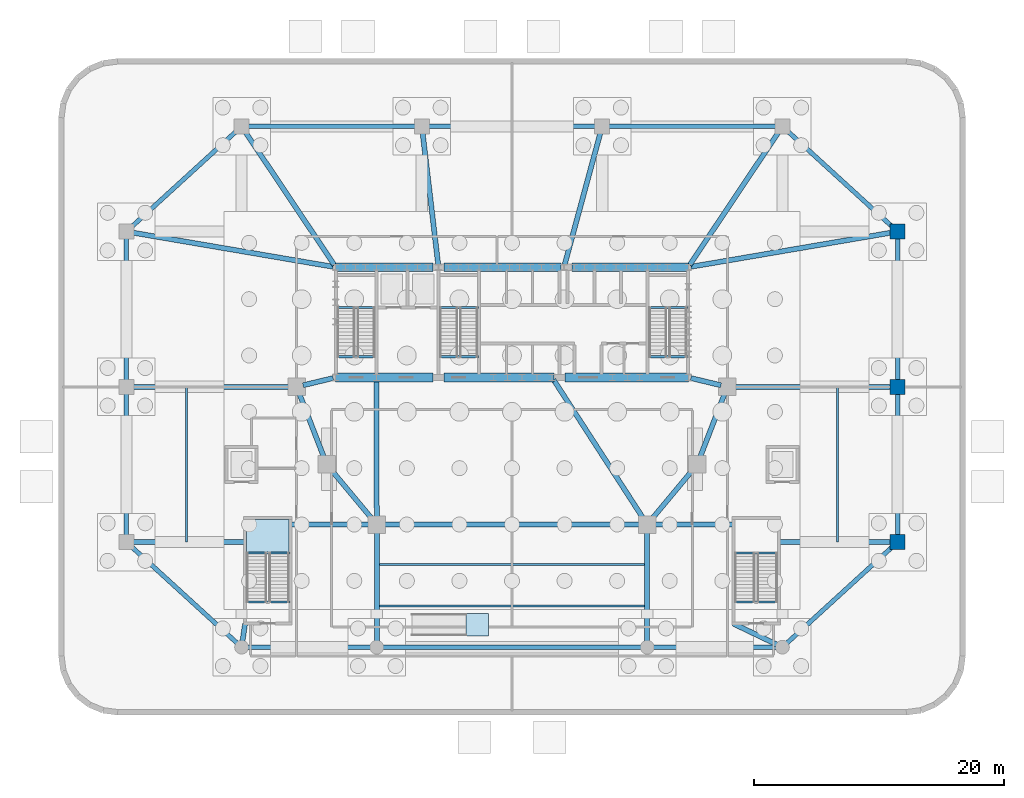
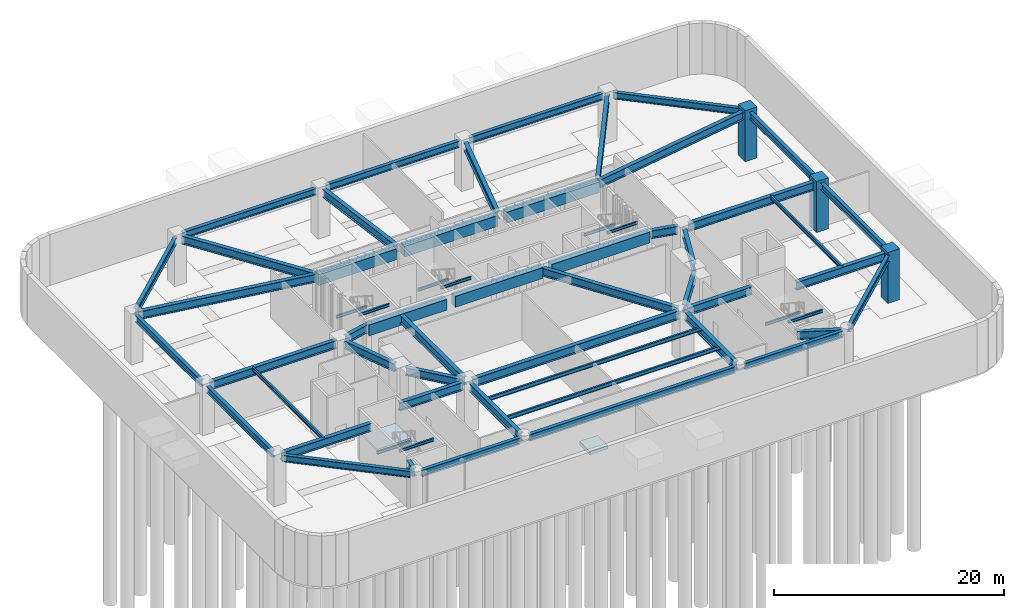
# One storey, part 3 of 11: 59 beams, 3 columns, 2 slabs, 2 elements without a shape of their own.
"""IFC4 building model written with IfcOpenShell, lengths in metres."""

from ifc_helpers import new_model, si_unit, direction, frame, origin, origin_2d, place, context, subcontext, project, spatial, polyline, rectangle, i_section, outline, extrude, material, layer, layer_set, material_profile, profile_set, type_object, element, aggregate, save


model = new_model("IFC4")

# Units and contexts
model_context = context("Model", 3, precision=1e-05, world=origin(), true_north=direction((0.0, 1.0)))
body_context = subcontext(model_context, "Body", "Model", "MODEL_VIEW")
ifc_project = project(units=[si_unit("LENGTHUNIT", "METRE"), si_unit("AREAUNIT", "SQUARE_METRE"), si_unit("VOLUMEUNIT", "CUBIC_METRE"), si_unit("PLANEANGLEUNIT", "RADIAN"), si_unit("MASSUNIT", "GRAM", prefix="KILO")], contexts=[model_context])

# Site, building, storey
site_placement = place(None, origin())
site = spatial("IfcSite", under=ifc_project, at=site_placement, CompositionType="ELEMENT")
building_placement = place(site_placement, origin())
building = spatial("IfcBuilding", under=site, at=building_placement, Name="Haldorwick Loom Tower", CompositionType="ELEMENT")
storey_placement = place(building_placement, frame((0.0, 0.0, -5.39990234375)))
storey = spatial("IfcBuildingStorey", under=building, at=storey_placement, Name="B01", CompositionType="ELEMENT", Elevation=-5.39990234375)

# Columns
ifc_material_1 = material(Name="Concrete C60 (60 MPa)", Category="concrete")
ifc_material_profile_1 = material_profile(ifc_material_1, rectangle(XDim=1.199951171875, YDim=1.199951171875, at=origin_2d()), Name="RC1200X1200", Category="concrete")
ifc_profile_set_1 = profile_set([ifc_material_profile_1], Name="Concrete C60 (60 MPa)")
column_type = type_object("IfcColumnType", Name="STR-COL-RC1200", PredefinedType="COLUMN", material=ifc_profile_set_1)
for number, where, z_axis, x_axis, name in (
    (1, (66.800048828125, 13.60009765625, 0.0), (0.0, 0.0, 1.0), (1.0, 0.0, 0.0), "B01 Podium Column PC-E1"),
    (2, (66.800048828125, 26.0, 0.0), (0.0, 0.0, 1.0), (1.0, 0.0, 0.0), "B01 Podium Column PC-E2"),
    (3, (66.800048828125, 38.39990234375, 0.0), (0.0, 0.0, 1.0), (1.0, 0.0, 0.0), "B01 Podium Column PC-E3"),
):
    element("IfcColumn", number, at=place(storey_placement, frame(where, z_axis=z_axis, x_axis=x_axis)), inside=storey, type_object=column_type, Name=name, PredefinedType="COLUMN", context=body_context, shape_type="SweptSolid", body=[
        extrude(rectangle(XDim=1.199951171875, YDim=1.199951171875, at=origin_2d()), origin(), (0.0, 0.0, 1.0), 5.39990234375),
    ])

# Beams
ifc_material_profile_2 = material_profile(ifc_material_1, rectangle(XDim=0.699951171875, YDim=1.14990234375, at=origin_2d()), Name="RC700X1150", Category="concrete")
ifc_profile_set_2 = profile_set([ifc_material_profile_2], Name="Concrete C60 (60 MPa)")
beam_type_1 = type_object("IfcBeamType", Name="STR-BM-CB1150", PredefinedType="LINTEL", material=ifc_profile_set_2)
beam_1_placement = place(storey_placement, frame((21.89990234375, 35.550048828125, 4.52490234375), z_axis=(1.0, 0.0, 0.0), x_axis=(0.0, 1.0, 0.0)))
element("IfcBeam", 4, at=beam_1_placement, inside=storey, type_object=beam_type_1, Name="B01 Core Coupling Beam CB-N1", PredefinedType="LINTEL", context=body_context, shape_type="SweptSolid", body=[
    extrude(rectangle(XDim=0.699951171875, YDim=1.14990234375, at=origin_2d()), origin(), (0.0, 0.0, 1.0), 7.800048828125),
])
beam_2_placement = place(storey_placement, frame((30.550048828125, 35.550048828125, 4.52490234375), z_axis=(1.0, 0.0, 0.0), x_axis=(0.0, 1.0, 0.0)))
element("IfcBeam", 5, at=beam_2_placement, inside=storey, type_object=beam_type_1, Name="B01 Core Coupling Beam CB-N2", PredefinedType="LINTEL", context=body_context, shape_type="SweptSolid", body=[
    extrude(rectangle(XDim=0.699951171875, YDim=1.14990234375, at=origin_2d()), origin(), (0.0, 0.0, 1.0), 9.349853515625),
])
beam_3_placement = place(storey_placement, frame((40.800048828125, 35.550048828125, 4.52490234375), z_axis=(1.0, 0.0, 0.0), x_axis=(0.0, 1.0, 0.0)))
element("IfcBeam", 6, at=beam_3_placement, inside=storey, type_object=beam_type_1, Name="B01 Core Coupling Beam CB-N3", PredefinedType="LINTEL", context=body_context, shape_type="SweptSolid", body=[
    extrude(rectangle(XDim=0.699951171875, YDim=1.14990234375, at=origin_2d()), origin(), (0.0, 0.0, 1.0), 9.300048828125),
])
beam_4_placement = place(storey_placement, frame((21.89990234375, 26.75, 4.52490234375), z_axis=(1.0, 0.0, 0.0), x_axis=(0.0, 1.0, 0.0)))
element("IfcBeam", 7, at=beam_4_placement, inside=storey, type_object=beam_type_1, Name="B01 Core Coupling Beam CB-S1", PredefinedType="LINTEL", context=body_context, shape_type="SweptSolid", body=[
    extrude(rectangle(XDim=0.699951171875, YDim=1.14990234375, at=origin_2d()), origin(), (0.0, 0.0, 1.0), 7.800048828125),
])
beam_5_placement = place(storey_placement, frame((30.550048828125, 26.75, 4.52490234375), z_axis=(1.0, 0.0, 0.0), x_axis=(0.0, 1.0, 0.0)))
element("IfcBeam", 8, at=beam_5_placement, inside=storey, type_object=beam_type_1, Name="B01 Core Coupling Beam CB-S2", PredefinedType="LINTEL", context=body_context, shape_type="SweptSolid", body=[
    extrude(rectangle(XDim=0.699951171875, YDim=1.14990234375, at=origin_2d()), origin(), (0.0, 0.0, 1.0), 8.800048828125),
])
beam_6_placement = place(storey_placement, frame((40.25, 26.75, 4.52490234375), z_axis=(1.0, 0.0, 0.0), x_axis=(0.0, 1.0, 0.0)))
element("IfcBeam", 9, at=beam_6_placement, inside=storey, type_object=beam_type_1, Name="B01 Core Coupling Beam CB-S3", PredefinedType="LINTEL", context=body_context, shape_type="SweptSolid", body=[
    extrude(rectangle(XDim=0.699951171875, YDim=1.14990234375, at=origin_2d()), origin(), (0.0, 0.0, 1.0), 9.85009765625),
])
ifc_material_2 = material(Name="Steel CSA G40.21 350W", Category="steel")
ifc_material_profile_3 = material_profile(ifc_material_2, i_section(OverallWidth=0.179931640625, OverallDepth=0.4130859375, WebThickness=0.009765625, FlangeThickness=0.01611328125, at=origin_2d()), Name="W410X74", Category="steel")
ifc_profile_set_3 = profile_set([ifc_material_profile_3], Name="Steel CSA G40.21 350W")
beam_type_2 = type_object("IfcBeamType", Name="STR-BM-J410", PredefinedType="JOIST", material=ifc_profile_set_3)
for number, where, z_axis, x_axis, name in (
    (10, (25.199951171875, 8.5, 4.893310546875), (1.0, 0.0, 0.0), (0.0, 1.0, 0.0), "B01 Podium Secondary Joist PJ-S1"),
    (11, (25.199951171875, 11.800048828125, 4.893310546875), (1.0, 0.0, 0.0), (0.0, 1.0, 0.0), "B01 Podium Secondary Joist PJ-S2"),
):
    element("IfcBeam", number, at=place(storey_placement, frame(where, z_axis=z_axis, x_axis=x_axis)), inside=storey, type_object=beam_type_2, Name=name, PredefinedType="JOIST", context=body_context, shape_type="SweptSolid", body=[
        extrude(i_section(OverallWidth=0.179931640625, OverallDepth=0.4130859375, WebThickness=0.009765625, FlangeThickness=0.01611328125, at=origin_2d()), origin(), (0.0, 0.0, 1.0), 21.60009765625),
    ])
for number, where, z_axis, x_axis, name in (
    (12, (10.0, 13.60009765625, 4.893310546875), (0.0, 1.0, 0.0), (-1.0, 0.0, 0.0), "B01 Podium Secondary Joist PJ-W1"),
    (13, (62.0, 13.60009765625, 4.893310546875), (0.0, 1.0, 0.0), (-1.0, 0.0, 0.0), "B01 Podium Secondary Joist PJ-E1"),
):
    element("IfcBeam", number, at=place(storey_placement, frame(where, z_axis=z_axis, x_axis=x_axis)), inside=storey, type_object=beam_type_2, Name=name, PredefinedType="JOIST", context=body_context, shape_type="SweptSolid", body=[
        extrude(i_section(OverallWidth=0.179931640625, OverallDepth=0.4130859375, WebThickness=0.009765625, FlangeThickness=0.01611328125, at=origin_2d()), origin(), (0.0, 0.0, 1.0), 12.39990234375),
    ])
ifc_material_profile_4 = material_profile(ifc_material_2, i_section(OverallWidth=0.35498046875, OverallDepth=0.695068359375, WebThickness=0.015380859375, FlangeThickness=0.02490234375, at=origin_2d()), Name="W690X217", Category="steel")
ifc_profile_set_4 = profile_set([ifc_material_profile_4], Name="Steel CSA G40.21 350W")
beam_type_3 = type_object("IfcBeamType", Name="STR-BM-SP690", PredefinedType="SPANDREL", material=ifc_profile_set_4)
beam_7_placement = place(storey_placement, frame((5.554443359375, 13.2763671875, 4.75244140625), z_axis=(0.738482735745, -0.674272384876, 0.0), x_axis=(0.674272384876, 0.738482735745, 0.0)))
element("IfcBeam", 14, at=beam_7_placement, inside=storey, type_object=beam_type_3, Name="B01 Podium Spandrel PSP-S1", PredefinedType="SPANDREL", context=body_context, shape_type="SweptSolid", body=[
    extrude(i_section(OverallWidth=0.35498046875, OverallDepth=0.695068359375, WebThickness=0.015380859375, FlangeThickness=0.02490234375, at=origin_2d()), origin(), (0.0, 0.0, 1.0), 11.497802734375),
])
beam_8_placement = place(storey_placement, frame((14.8798828125, 5.199951171875, 4.75244140625), z_axis=(1.0, 0.0, 0.0), x_axis=(0.0, 1.0, 0.0)))
element("IfcBeam", 15, at=beam_8_placement, inside=storey, type_object=beam_type_3, Name="B01 Podium Spandrel PSP-S2", PredefinedType="SPANDREL", context=body_context, shape_type="SweptSolid", body=[
    extrude(i_section(OverallWidth=0.35498046875, OverallDepth=0.695068359375, WebThickness=0.015380859375, FlangeThickness=0.02490234375, at=origin_2d()), origin(), (0.0, 0.0, 1.0), 9.840087890625),
])
beam_9_placement = place(storey_placement, frame((25.679931640625, 5.199951171875, 4.75244140625), z_axis=(1.0, 0.0, 0.0), x_axis=(0.0, 1.0, 0.0)))
element("IfcBeam", 16, at=beam_9_placement, inside=storey, type_object=beam_type_3, Name="B01 Podium Spandrel PSP-S3", PredefinedType="SPANDREL", context=body_context, shape_type="SweptSolid", body=[
    extrude(i_section(OverallWidth=0.35498046875, OverallDepth=0.695068359375, WebThickness=0.015380859375, FlangeThickness=0.02490234375, at=origin_2d()), origin(), (0.0, 0.0, 1.0), 20.64013671875),
])
beam_10_placement = place(storey_placement, frame((47.280029296875, 5.199951171875, 4.75244140625), z_axis=(1.0, 0.0, 0.0), x_axis=(0.0, 1.0, 0.0)))
element("IfcBeam", 17, at=beam_10_placement, inside=storey, type_object=beam_type_3, Name="B01 Podium Spandrel PSP-S4", PredefinedType="SPANDREL", context=body_context, shape_type="SweptSolid", body=[
    extrude(i_section(OverallWidth=0.35498046875, OverallDepth=0.695068359375, WebThickness=0.015380859375, FlangeThickness=0.02490234375, at=origin_2d()), origin(), (0.0, 0.0, 1.0), 9.840087890625),
])
beam_11_placement = place(storey_placement, frame((57.95458984375, 5.523681640625, 4.75244140625), z_axis=(0.738482735745, 0.674272384876, 0.0), x_axis=(-0.674272384876, 0.738482735745, 0.0)))
element("IfcBeam", 18, at=beam_11_placement, inside=storey, type_object=beam_type_3, Name="B01 Podium Spandrel PSP-S5", PredefinedType="SPANDREL", context=body_context, shape_type="SweptSolid", body=[
    extrude(i_section(OverallWidth=0.35498046875, OverallDepth=0.695068359375, WebThickness=0.015380859375, FlangeThickness=0.02490234375, at=origin_2d()), origin(), (0.0, 0.0, 1.0), 11.497802734375),
])
for number, where, z_axis, x_axis, name in (
    (19, (66.800048828125, 14.080078125, 4.75244140625), (0.0, 1.0, 0.0), (-1.0, 0.0, 0.0), "B01 Podium Spandrel PSP-E1"),
    (20, (66.800048828125, 26.47998046875, 4.75244140625), (0.0, 1.0, 0.0), (-1.0, 0.0, 0.0), "B01 Podium Spandrel PSP-E2"),
):
    element("IfcBeam", number, at=place(storey_placement, frame(where, z_axis=z_axis, x_axis=x_axis)), inside=storey, type_object=beam_type_3, Name=name, PredefinedType="SPANDREL", context=body_context, shape_type="SweptSolid", body=[
        extrude(i_section(OverallWidth=0.35498046875, OverallDepth=0.695068359375, WebThickness=0.015380859375, FlangeThickness=0.02490234375, at=origin_2d()), origin(), (0.0, 0.0, 1.0), 11.43994140625),
    ])
beam_12_placement = place(storey_placement, frame((66.445556640625, 38.7236328125, 4.75244140625), z_axis=(-0.738482735745, 0.674272384876, 0.0), x_axis=(-0.674272384876, -0.738482735745, 0.0)))
element("IfcBeam", 21, at=beam_12_placement, inside=storey, type_object=beam_type_3, Name="B01 Podium Spandrel PSP-E3", PredefinedType="SPANDREL", context=body_context, shape_type="SweptSolid", body=[
    extrude(i_section(OverallWidth=0.35498046875, OverallDepth=0.695068359375, WebThickness=0.015380859375, FlangeThickness=0.02490234375, at=origin_2d()), origin(), (0.0, 0.0, 1.0), 11.497802734375),
])
beam_13_placement = place(storey_placement, frame((57.1201171875, 46.800048828125, 4.75244140625), z_axis=(-1.0, 0.0, 0.0), x_axis=(0.0, -1.0, 0.0)))
element("IfcBeam", 22, at=beam_13_placement, inside=storey, type_object=beam_type_3, Name="B01 Podium Spandrel PSP-N1", PredefinedType="SPANDREL", context=body_context, shape_type="SweptSolid", body=[
    extrude(i_section(OverallWidth=0.35498046875, OverallDepth=0.695068359375, WebThickness=0.015380859375, FlangeThickness=0.02490234375, at=origin_2d()), origin(), (0.0, 0.0, 1.0), 13.440185546875),
])
beam_14_placement = place(storey_placement, frame((42.719970703125, 46.800048828125, 4.75244140625), z_axis=(-1.0, 0.0, 0.0), x_axis=(0.0, -1.0, 0.0)))
element("IfcBeam", 23, at=beam_14_placement, inside=storey, type_object=beam_type_3, Name="B01 Podium Spandrel PSP-N2", PredefinedType="SPANDREL", context=body_context, shape_type="SweptSolid", body=[
    extrude(i_section(OverallWidth=0.35498046875, OverallDepth=0.695068359375, WebThickness=0.015380859375, FlangeThickness=0.02490234375, at=origin_2d()), origin(), (0.0, 0.0, 1.0), 13.43994140625),
])
beam_15_placement = place(storey_placement, frame((28.320068359375, 46.800048828125, 4.75244140625), z_axis=(-1.0, 0.0, 0.0), x_axis=(0.0, -1.0, 0.0)))
element("IfcBeam", 24, at=beam_15_placement, inside=storey, type_object=beam_type_3, Name="B01 Podium Spandrel PSP-N3", PredefinedType="SPANDREL", context=body_context, shape_type="SweptSolid", body=[
    extrude(i_section(OverallWidth=0.35498046875, OverallDepth=0.695068359375, WebThickness=0.015380859375, FlangeThickness=0.02490234375, at=origin_2d()), origin(), (0.0, 0.0, 1.0), 13.440185546875),
])
beam_16_placement = place(storey_placement, frame((14.04541015625, 46.476318359375, 4.75244140625), z_axis=(-0.738482735745, -0.674272384876, 0.0), x_axis=(0.674272384876, -0.738482735745, 0.0)))
element("IfcBeam", 25, at=beam_16_placement, inside=storey, type_object=beam_type_3, Name="B01 Podium Spandrel PSP-N4", PredefinedType="SPANDREL", context=body_context, shape_type="SweptSolid", body=[
    extrude(i_section(OverallWidth=0.35498046875, OverallDepth=0.695068359375, WebThickness=0.015380859375, FlangeThickness=0.02490234375, at=origin_2d()), origin(), (0.0, 0.0, 1.0), 11.497802734375),
])
for number, where, z_axis, x_axis, name in (
    (26, (5.199951171875, 37.919921875, 4.75244140625), (0.0, -1.0, 0.0), (1.0, 0.0, 0.0), "B01 Podium Spandrel PSP-W1"),
    (27, (5.199951171875, 25.52001953125, 4.75244140625), (0.0, -1.0, 0.0), (1.0, 0.0, 0.0), "B01 Podium Spandrel PSP-W2"),
):
    element("IfcBeam", number, at=place(storey_placement, frame(where, z_axis=z_axis, x_axis=x_axis)), inside=storey, type_object=beam_type_3, Name=name, PredefinedType="SPANDREL", context=body_context, shape_type="SweptSolid", body=[
        extrude(i_section(OverallWidth=0.35498046875, OverallDepth=0.695068359375, WebThickness=0.015380859375, FlangeThickness=0.02490234375, at=origin_2d()), origin(), (0.0, 0.0, 1.0), 11.43994140625),
    ])
ifc_material_profile_5 = material_profile(ifc_material_2, i_section(OverallWidth=0.166015625, OverallDepth=0.31298828125, WebThickness=0.006591796875, FlangeThickness=0.01123046875, at=origin_2d()), Name="W310X45", Category="steel")
ifc_profile_set_5 = profile_set([ifc_material_profile_5], Name="Steel CSA G40.21 350W")
beam_type_4 = type_object("IfcBeamType", Name="STR-BM-STRM", PredefinedType="BEAM", material=ifc_profile_set_5)
for number, where, z_axis, x_axis, name in (
    (28, (21.989990234375, 28.39990234375, 4.943359375), (1.0, 0.0, 0.0), (0.0, 1.0, 0.0), "B01 Stair ST-01 Landing Edge Trimmer"),
    (29, (21.989990234375, 32.320068359375, 2.343505859375), (1.0, 0.0, 0.0), (0.0, 1.0, 0.0), "B01 Stair ST-01 Half-Landing Trimmer 1"),
    (30, (46.889892578125, 28.39990234375, 4.943359375), (1.0, 0.0, 0.0), (0.0, 1.0, 0.0), "B01 Stair ST-02 Landing Edge Trimmer"),
    (31, (46.889892578125, 32.320068359375, 2.343505859375), (1.0, 0.0, 0.0), (0.0, 1.0, 0.0), "B01 Stair ST-02 Half-Landing Trimmer 1"),
    (32, (30.18994140625, 28.39990234375, 4.943359375), (1.0, 0.0, 0.0), (0.0, 1.0, 0.0), "B01 Stair ST-03 Landing Edge Trimmer"),
    (33, (30.18994140625, 32.320068359375, 2.343505859375), (1.0, 0.0, 0.0), (0.0, 1.0, 0.0), "B01 Stair ST-03 Half-Landing Trimmer 1"),
):
    element("IfcBeam", number, at=place(storey_placement, frame(where, z_axis=z_axis, x_axis=x_axis)), inside=storey, type_object=beam_type_4, Name=name, PredefinedType="BEAM", context=body_context, shape_type="SweptSolid", body=[
        extrude(i_section(OverallWidth=0.166015625, OverallDepth=0.31298828125, WebThickness=0.006591796875, FlangeThickness=0.01123046875, at=origin_2d()), origin(), (0.0, 0.0, 1.0), 3.1201171875),
    ])
for number, where, z_axis, x_axis, name in (
    (34, (14.739990234375, 8.800048828125, 4.943359375), (1.0, 0.0, 0.0), (0.0, 1.0, 0.0), "B01 Stair ST-P1 Landing Edge Trimmer"),
    (35, (14.739990234375, 12.719970703125, 2.343505859375), (1.0, 0.0, 0.0), (0.0, 1.0, 0.0), "B01 Stair ST-P1 Half-Landing Trimmer 1"),
    (36, (53.739990234375, 8.800048828125, 4.943359375), (1.0, 0.0, 0.0), (0.0, 1.0, 0.0), "B01 Stair ST-P2 Landing Edge Trimmer"),
    (37, (53.739990234375, 12.719970703125, 2.343505859375), (1.0, 0.0, 0.0), (0.0, 1.0, 0.0), "B01 Stair ST-P2 Half-Landing Trimmer 1"),
):
    element("IfcBeam", number, at=place(storey_placement, frame(where, z_axis=z_axis, x_axis=x_axis)), inside=storey, type_object=beam_type_4, Name=name, PredefinedType="BEAM", context=body_context, shape_type="SweptSolid", body=[
        extrude(i_section(OverallWidth=0.166015625, OverallDepth=0.31298828125, WebThickness=0.006591796875, FlangeThickness=0.01123046875, at=origin_2d()), origin(), (0.0, 0.0, 1.0), 3.52001953125),
    ])
ifc_material_profile_6 = material_profile(ifc_material_2, i_section(OverallWidth=0.39990234375, OverallDepth=0.85498046875, WebThickness=0.018310546875, FlangeThickness=0.029296875, at=origin_2d()), Name="W840X299", Category="steel")
ifc_profile_set_6 = profile_set([ifc_material_profile_6], Name="Steel CSA G40.21 350W")
beam_type_5 = type_object("IfcBeamType", Name="STR-BM-W840", PredefinedType="BEAM", material=ifc_profile_set_6)
beam_17_placement = place(storey_placement, frame((50.288818359375, 26.697509765625, 4.67236328125), z_axis=(0.97247055837, -0.233025777764, 0.0), x_axis=(0.233025777764, 0.97247055837, 0.0)))
element("IfcBeam", 38, at=beam_17_placement, inside=storey, type_object=beam_type_5, Name="B01 Podium Inner Girder INE-1", PredefinedType="BEAM", context=body_context, shape_type="SweptSolid", body=[
    extrude(i_section(OverallWidth=0.39990234375, OverallDepth=0.85498046875, WebThickness=0.018310546875, FlangeThickness=0.029296875, at=origin_2d()), origin(), (0.0, 0.0, 1.0), 2.4736328125),
])
beam_18_placement = place(storey_placement, frame((53.01220703125, 25.51513671875, 4.67236328125), z_axis=(-0.360964792353, -0.93257944363, 0.0), x_axis=(0.93257944363, -0.360964792353, 0.0)))
element("IfcBeam", 39, at=beam_18_placement, inside=storey, type_object=beam_type_5, Name="B01 Podium Inner Girder INE-2", PredefinedType="BEAM", context=body_context, shape_type="SweptSolid", body=[
    extrude(i_section(OverallWidth=0.39990234375, OverallDepth=0.85498046875, WebThickness=0.018310546875, FlangeThickness=0.029296875, at=origin_2d()), origin(), (0.0, 0.0, 1.0), 5.6083984375),
])
beam_19_placement = place(storey_placement, frame((50.467041015625, 19.400390625, 4.67236328125), z_axis=(-0.640193621243, -0.768213594855, 0.0), x_axis=(0.768213594855, -0.640193621243, 0.0)))
element("IfcBeam", 40, at=beam_19_placement, inside=storey, type_object=beam_type_5, Name="B01 Podium Inner Girder INE-3", PredefinedType="BEAM", context=body_context, shape_type="SweptSolid", body=[
    extrude(i_section(OverallWidth=0.39990234375, OverallDepth=0.85498046875, WebThickness=0.018310546875, FlangeThickness=0.029296875, at=origin_2d()), origin(), (0.0, 0.0, 1.0), 5.208251953125),
])
beam_20_placement = place(storey_placement, frame((21.711181640625, 26.697509765625, 4.67236328125), z_axis=(-0.97247055837, -0.233025777764, 0.0), x_axis=(0.233025777764, -0.97247055837, 0.0)))
element("IfcBeam", 41, at=beam_20_placement, inside=storey, type_object=beam_type_5, Name="B01 Podium Inner Girder INW-1", PredefinedType="BEAM", context=body_context, shape_type="SweptSolid", body=[
    extrude(i_section(OverallWidth=0.39990234375, OverallDepth=0.85498046875, WebThickness=0.018310546875, FlangeThickness=0.029296875, at=origin_2d()), origin(), (0.0, 0.0, 1.0), 2.4736328125),
])
beam_21_placement = place(storey_placement, frame((18.98779296875, 25.51513671875, 4.67236328125), z_axis=(0.360964792353, -0.93257944363, 0.0), x_axis=(0.93257944363, 0.360964792353, 0.0)))
element("IfcBeam", 42, at=beam_21_placement, inside=storey, type_object=beam_type_5, Name="B01 Podium Inner Girder INW-2", PredefinedType="BEAM", context=body_context, shape_type="SweptSolid", body=[
    extrude(i_section(OverallWidth=0.39990234375, OverallDepth=0.85498046875, WebThickness=0.018310546875, FlangeThickness=0.029296875, at=origin_2d()), origin(), (0.0, 0.0, 1.0), 5.6083984375),
])
beam_22_placement = place(storey_placement, frame((21.532958984375, 19.400390625, 4.67236328125), z_axis=(0.640193621243, -0.768213594855, 0.0), x_axis=(0.768213594855, 0.640193621243, 0.0)))
element("IfcBeam", 43, at=beam_22_placement, inside=storey, type_object=beam_type_5, Name="B01 Podium Inner Girder INW-3", PredefinedType="BEAM", context=body_context, shape_type="SweptSolid", body=[
    extrude(i_section(OverallWidth=0.39990234375, OverallDepth=0.85498046875, WebThickness=0.018310546875, FlangeThickness=0.029296875, at=origin_2d()), origin(), (0.0, 0.0, 1.0), 5.208251953125),
])
for number, where, z_axis, x_axis, name in (
    (44, (25.199951171875, 5.64990234375, 4.67236328125), (0.0, 1.0, 0.0), (-1.0, 0.0, 0.0), "B01 Podium Primary Girder PG-01"),
    (45, (46.800048828125, 5.64990234375, 4.67236328125), (0.0, 1.0, 0.0), (-1.0, 0.0, 0.0), "B01 Podium Primary Girder PG-02"),
):
    element("IfcBeam", number, at=place(storey_placement, frame(where, z_axis=z_axis, x_axis=x_axis)), inside=storey, type_object=beam_type_5, Name=name, PredefinedType="BEAM", context=body_context, shape_type="SweptSolid", body=[
        extrude(i_section(OverallWidth=0.39990234375, OverallDepth=0.85498046875, WebThickness=0.018310546875, FlangeThickness=0.029296875, at=origin_2d()), origin(), (0.0, 0.0, 1.0), 8.900146484375),
    ])
beam_23_placement = place(storey_placement, frame((25.198974609375, 15.449951171875, 4.67236328125), z_axis=(-0.00255714174, 0.999996730508, 0.0), x_axis=(-0.999996730508, -0.00255714174, 0.0)))
element("IfcBeam", 46, at=beam_23_placement, inside=storey, type_object=beam_type_5, Name="B01 Podium Primary Girder PG-04", PredefinedType="BEAM", context=body_context, shape_type="SweptSolid", body=[
    extrude(i_section(OverallWidth=0.39990234375, OverallDepth=0.85498046875, WebThickness=0.018310546875, FlangeThickness=0.029296875, at=origin_2d()), origin(), (0.0, 0.0, 1.0), 11.074951171875),
])
beam_24_placement = place(storey_placement, frame((46.5556640625, 15.377685546875, 4.67236328125), z_axis=(-0.543098499406, 0.839668994273, 0.0), x_axis=(-0.839668994273, -0.543098499406, 0.0)))
element("IfcBeam", 47, at=beam_24_placement, inside=storey, type_object=beam_type_5, Name="B01 Podium Primary Girder PG-05", PredefinedType="BEAM", context=body_context, shape_type="SweptSolid", body=[
    extrude(i_section(OverallWidth=0.39990234375, OverallDepth=0.85498046875, WebThickness=0.018310546875, FlangeThickness=0.029296875, at=origin_2d()), origin(), (0.0, 0.0, 1.0), 13.31884765625),
])
beam_25_placement = place(storey_placement, frame((5.64990234375, 13.60009765625, 4.67236328125), z_axis=(1.0, 0.0, 0.0), x_axis=(0.0, 1.0, 0.0)))
element("IfcBeam", 48, at=beam_25_placement, inside=storey, type_object=beam_type_5, Name="B01 Podium Primary Girder PG-06A", PredefinedType="BEAM", context=body_context, shape_type="SweptSolid", body=[
    extrude(i_section(OverallWidth=0.39990234375, OverallDepth=0.85498046875, WebThickness=0.018310546875, FlangeThickness=0.029296875, at=origin_2d()), origin(), (0.0, 0.0, 1.0), 9.030029296875),
])
beam_26_placement = place(storey_placement, frame((18.320068359375, 15.0, 4.67236328125), z_axis=(1.0, 0.0, 0.0), x_axis=(0.0, 1.0, 0.0)))
element("IfcBeam", 49, at=beam_26_placement, inside=storey, type_object=beam_type_5, Name="B01 Podium Primary Girder PG-06B", PredefinedType="BEAM", context=body_context, shape_type="SweptSolid", body=[
    extrude(i_section(OverallWidth=0.39990234375, OverallDepth=0.85498046875, WebThickness=0.018310546875, FlangeThickness=0.029296875, at=origin_2d()), origin(), (0.0, 0.0, 1.0), 6.429931640625),
])
beam_27_placement = place(storey_placement, frame((66.35009765625, 13.60009765625, 4.67236328125), z_axis=(-1.0, 0.0, 0.0), x_axis=(0.0, -1.0, 0.0)))
element("IfcBeam", 50, at=beam_27_placement, inside=storey, type_object=beam_type_5, Name="B01 Podium Primary Girder PG-07A", PredefinedType="BEAM", context=body_context, shape_type="SweptSolid", body=[
    extrude(i_section(OverallWidth=0.39990234375, OverallDepth=0.85498046875, WebThickness=0.018310546875, FlangeThickness=0.029296875, at=origin_2d()), origin(), (0.0, 0.0, 1.0), 9.030029296875),
])
beam_28_placement = place(storey_placement, frame((53.679931640625, 15.0, 4.67236328125), z_axis=(-1.0, 0.0, 0.0), x_axis=(0.0, -1.0, 0.0)))
element("IfcBeam", 51, at=beam_28_placement, inside=storey, type_object=beam_type_5, Name="B01 Podium Primary Girder PG-07B", PredefinedType="BEAM", context=body_context, shape_type="SweptSolid", body=[
    extrude(i_section(OverallWidth=0.39990234375, OverallDepth=0.85498046875, WebThickness=0.018310546875, FlangeThickness=0.029296875, at=origin_2d()), origin(), (0.0, 0.0, 1.0), 6.429931640625),
])
for number, where, z_axis, x_axis, name in (
    (52, (5.6435546875, 38.324462890625, 4.67236328125), (0.985799279017, -0.167927905632, 0.0), (0.167927905632, 0.985799279017, 0.0), "B01 Podium Primary Girder PG-10"),
    (53, (50.291748046875, 35.587890625, 4.67236328125), (0.985799279017, 0.167927905632, 0.0), (-0.167927905632, 0.985799279017, 0.0), "B01 Podium Primary Girder PG-11"),
):
    element("IfcBeam", number, at=place(storey_placement, frame(where, z_axis=z_axis, x_axis=x_axis)), inside=storey, type_object=beam_type_5, Name=name, PredefinedType="BEAM", context=body_context, shape_type="SweptSolid", body=[
        extrude(i_section(OverallWidth=0.39990234375, OverallDepth=0.85498046875, WebThickness=0.018310546875, FlangeThickness=0.029296875, at=origin_2d()), origin(), (0.0, 0.0, 1.0), 16.296142578125),
    ])
beam_29_placement = place(storey_placement, frame((14.650390625, 46.426025390625, 4.67236328125), z_axis=(0.556223597649, -0.831032676504, 0.0), x_axis=(0.831032676504, 0.556223597649, 0.0)))
element("IfcBeam", 54, at=beam_29_placement, inside=storey, type_object=beam_type_5, Name="B01 Podium Primary Girder PG-12", PredefinedType="BEAM", context=body_context, shape_type="SweptSolid", body=[
    extrude(i_section(OverallWidth=0.39990234375, OverallDepth=0.85498046875, WebThickness=0.018310546875, FlangeThickness=0.029296875, at=origin_2d()), origin(), (0.0, 0.0, 1.0), 12.8623046875),
])
beam_30_placement = place(storey_placement, frame((28.852783203125, 46.35302734375, 4.67236328125), z_axis=(0.11740367245, -0.993084275223, 0.0), x_axis=(0.993084275223, 0.11740367245, 0.0)))
element("IfcBeam", 55, at=beam_30_placement, inside=storey, type_object=beam_type_5, Name="B01 Podium Primary Girder PG-13", PredefinedType="BEAM", context=body_context, shape_type="SweptSolid", body=[
    extrude(i_section(OverallWidth=0.39990234375, OverallDepth=0.85498046875, WebThickness=0.018310546875, FlangeThickness=0.029296875, at=origin_2d()), origin(), (0.0, 0.0, 1.0), 10.6533203125),
])
beam_31_placement = place(storey_placement, frame((43.082275390625, 46.36572265625, 4.67236328125), z_axis=(-0.261655396266, -0.965161361434, 0.0), x_axis=(0.965161361434, -0.261655396266, 0.0)))
element("IfcBeam", 56, at=beam_31_placement, inside=storey, type_object=beam_type_5, Name="B01 Podium Primary Girder PG-14", PredefinedType="BEAM", context=body_context, shape_type="SweptSolid", body=[
    extrude(i_section(OverallWidth=0.39990234375, OverallDepth=0.85498046875, WebThickness=0.018310546875, FlangeThickness=0.029296875, at=origin_2d()), origin(), (0.0, 0.0, 1.0), 10.981201171875),
])
beam_32_placement = place(storey_placement, frame((57.349609375, 46.426025390625, 4.67236328125), z_axis=(-0.556223597649, -0.831032676504, 0.0), x_axis=(0.831032676504, -0.556223597649, 0.0)))
element("IfcBeam", 57, at=beam_32_placement, inside=storey, type_object=beam_type_5, Name="B01 Podium Primary Girder PG-15", PredefinedType="BEAM", context=body_context, shape_type="SweptSolid", body=[
    extrude(i_section(OverallWidth=0.39990234375, OverallDepth=0.85498046875, WebThickness=0.018310546875, FlangeThickness=0.029296875, at=origin_2d()), origin(), (0.0, 0.0, 1.0), 12.8623046875),
])
beam_33_placement = place(storey_placement, frame((14.46630859375, 5.64501953125, 4.67236328125), z_axis=(0.147237749014, 0.989101129948, 0.0), x_axis=(-0.989101129948, 0.147237749014, 0.0)))
element("IfcBeam", 58, at=beam_33_placement, inside=storey, type_object=beam_type_5, Name="B01 Podium Primary Girder PG-16", PredefinedType="BEAM", context=body_context, shape_type="SweptSolid", body=[
    extrude(i_section(OverallWidth=0.39990234375, OverallDepth=0.85498046875, WebThickness=0.018310546875, FlangeThickness=0.029296875, at=origin_2d()), origin(), (0.0, 0.0, 1.0), 1.450927734375),
])
beam_34_placement = place(storey_placement, frame((57.1943359375, 5.39453125, 4.67236328125), z_axis=(-0.901659852689, 0.432445961998, 0.0), x_axis=(-0.432445961998, -0.901659852689, 0.0)))
element("IfcBeam", 59, at=beam_34_placement, inside=storey, type_object=beam_type_5, Name="B01 Podium Primary Girder PG-17", PredefinedType="BEAM", context=body_context, shape_type="SweptSolid", body=[
    extrude(i_section(OverallWidth=0.39990234375, OverallDepth=0.85498046875, WebThickness=0.018310546875, FlangeThickness=0.029296875, at=origin_2d()), origin(), (0.0, 0.0, 1.0), 3.897705078125),
])
for number, where, z_axis, x_axis, name in (
    (60, (5.64990234375, 26.0, 4.67236328125), (1.0, 0.0, 0.0), (0.0, 1.0, 0.0), "B01 Podium Primary Girder PG-08"),
    (61, (53.64990234375, 26.0, 4.67236328125), (1.0, 0.0, 0.0), (0.0, 1.0, 0.0), "B01 Podium Primary Girder PG-09"),
):
    element("IfcBeam", number, at=place(storey_placement, frame(where, z_axis=z_axis, x_axis=x_axis)), inside=storey, type_object=beam_type_5, Name=name, PredefinedType="BEAM", context=body_context, shape_type="SweptSolid", body=[
        extrude(i_section(OverallWidth=0.39990234375, OverallDepth=0.85498046875, WebThickness=0.018310546875, FlangeThickness=0.029296875, at=origin_2d()), origin(), (0.0, 0.0, 1.0), 12.7001953125),
    ])
ifc_material_profile_7 = material_profile(ifc_material_2, i_section(OverallWidth=0.41796875, OverallDepth=0.912109375, WebThickness=0.019287109375, FlangeThickness=0.031982421875, at=origin_2d()), Name="W920X342", Category="steel")
ifc_profile_set_7 = profile_set([ifc_material_profile_7], Name="Steel CSA G40.21 350W")
beam_type_6 = type_object("IfcBeamType", Name="STR-BM-W920", PredefinedType="BEAM", material=ifc_profile_set_7)
beam_35_placement = place(storey_placement, frame((25.64990234375, 15.0, 4.643798828125), z_axis=(1.0, 0.0, 0.0), x_axis=(0.0, 1.0, 0.0)))
element("IfcBeam", 62, at=beam_35_placement, inside=storey, type_object=beam_type_6, Name="B01 Podium Primary Girder PG-03", PredefinedType="BEAM", context=body_context, shape_type="SweptSolid", body=[
    extrude(i_section(OverallWidth=0.41796875, OverallDepth=0.912109375, WebThickness=0.019287109375, FlangeThickness=0.031982421875, at=origin_2d()), origin(), (0.0, 0.0, 1.0), 20.7001953125),
])

# Stair, slab
ifc_material_3 = material(Name="Concrete C40 (40 MPa)", Category="concrete")
stair_type = type_object("IfcStairType", Name="STR-STR-POD", PredefinedType="HALF_TURN_STAIR", material=ifc_material_3)
stair_placement = place(storey_placement, origin())
stair = element("IfcStair", 63, at=stair_placement, inside=storey, type_object=stair_type, Name="B01 Exit Stair ST-P1", PredefinedType="HALF_TURN_STAIR")
ifc_layer = layer(ifc_material_3, 0.199951171875, Name="Concrete C40 (40 MPa)", Category="concrete")
ifc_layer_set = layer_set([ifc_layer], Name="Concrete C40 (40 MPa)")
slab_type = type_object("IfcSlabType", Name="STR-SLB-LAND200", PredefinedType="LANDING", material=ifc_layer_set)
slab_1_placement = place(storey_placement, frame((0.0, 0.0, 2.5)))
slab_1 = element("IfcSlab", 64, at=slab_1_placement, type_object=slab_type, Name="ST-P1 landing 1", PredefinedType="LANDING", context=body_context, shape_type="SweptSolid", body=[
    extrude(outline(polyline([(18.199951171875, 12.719970703125), (18.199951171875, 15.39990234375), (14.800048828125, 15.39990234375), (14.800048828125, 12.719970703125), (18.199951171875, 12.719970703125)])), origin(), (0.0, 0.0, 1.0), 0.199951171875),
])
aggregate(stair, [slab_1])

# Ramp, slab
ramp_type = type_object("IfcRampType", Name="STR-RMP-CONC", PredefinedType="STRAIGHT_RUN_RAMP", material=ifc_material_3)
ramp_placement = place(storey_placement, origin())
ramp = element("IfcRamp", 65, at=ramp_placement, inside=storey, type_object=ramp_type, Name="B01 Accessible Concierge Ramp RMP-05", PredefinedType="STRAIGHT_RUN_RAMP")
slab_2_placement = place(storey_placement, origin())
slab_2 = element("IfcSlab", 66, at=slab_2_placement, type_object=slab_type, Name="RMP-05 Top Arrival Landing", PredefinedType="LANDING", context=body_context, shape_type="SweptSolid", body=[
    extrude(outline(polyline([(32.320068359375, 6.10009765625), (34.1201171875, 6.10009765625), (34.1201171875, 7.89990234375), (32.320068359375, 7.89990234375), (32.320068359375, 6.10009765625)])), origin(), (0.0, 0.0, 1.0), 0.35986328125),
])
aggregate(ramp, [slab_2])

save(model, "model.ifc")
